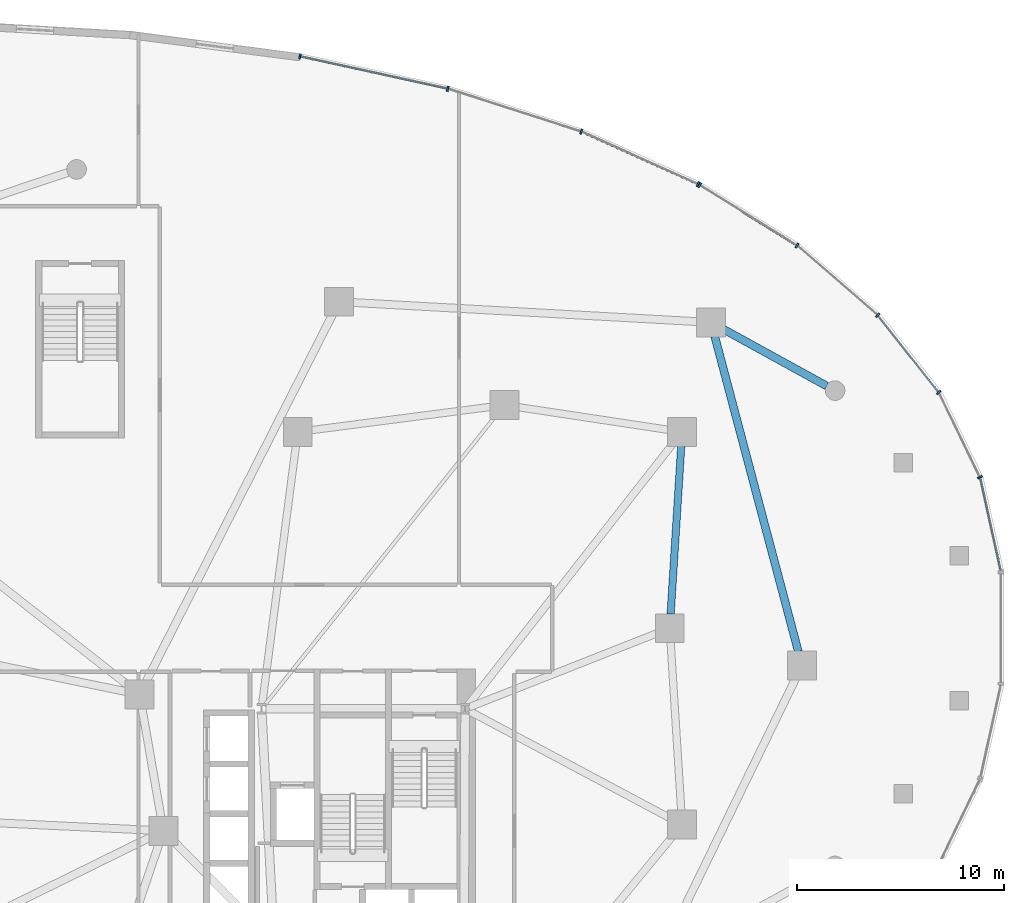
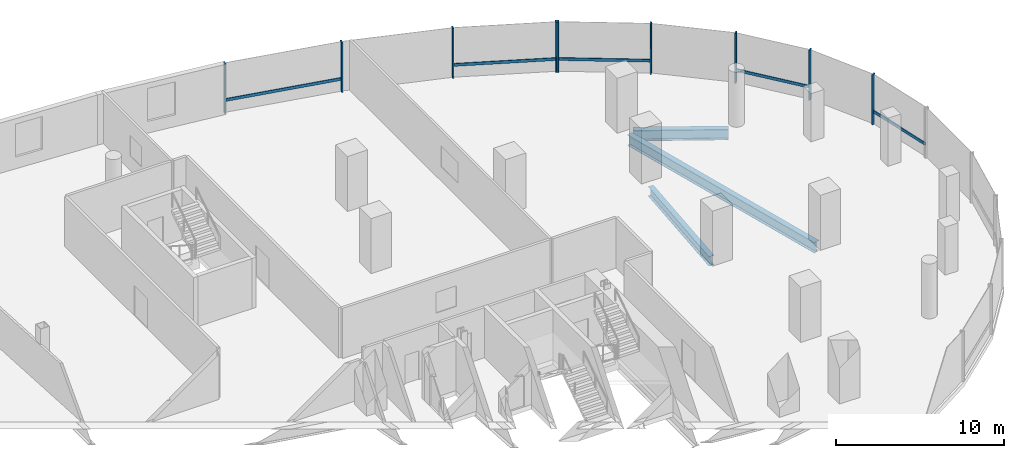
# One storey, part 10 of 19: 14 members, 3 beams, 2 elements without a shape of their own.
"""IFC4 building model written with IfcOpenShell, lengths in metres."""

import ifcopenshell
import ifcopenshell.guid

model = None  # the IFC model being written
_history = None  # IfcOwnerHistory: only IFC2X3 demands one
_inside = {}  # id of a spatial element -> (the spatial element, [elements in it])
_under = {}  # id of a project, library or spatial element -> (it, [spatial elements below it])
_declared = {}  # id of a project -> (the project, [libraries it declares])
_typed = {}  # id of a type object -> (the type object, [elements of that type])
_made_of = {}  # id of a material, layer set ... -> (it, [elements and type objects made of it])


def new_model(schema):
    """Start an empty IFC model of exactly this schema.

    Asked for "IFC4X3", IfcOpenShell would pick the latest addendum, in which some entities
    have other attributes; the version numbers below select the first issue.
    IFC2X3 requires an IfcOwnerHistory on every rooted entity: one is made here for all.
    """
    global model, _history
    if schema == "IFC4X3":
        model = ifcopenshell.file(schema_version=(4, 3, 0, 0))
    else:
        model = ifcopenshell.file(schema=schema)
    _inside.clear()
    _under.clear()
    _declared.clear()
    _typed.clear()
    _made_of.clear()
    _history = None
    if model.schema == "IFC2X3":
        org = make("IfcOrganization", Name="unknown")
        user = make(
            "IfcPersonAndOrganization",
            ThePerson=make("IfcPerson", FamilyName="unknown"),
            TheOrganization=org,
        )
        app = make(
            "IfcApplication",
            ApplicationDeveloper=org,
            Version="unknown",
            ApplicationFullName="unknown",
            ApplicationIdentifier="unknown",
        )
        _history = make(
            "IfcOwnerHistory",
            OwningUser=user,
            OwningApplication=app,
            ChangeAction="ADDED",
            CreationDate=0,
        )
    return model


def make(cls, **values):
    """One entity of the class cls with the attributes given. An attribute that is None is left unset."""
    return model.create_entity(
        cls, **{name: value for name, value in values.items() if value is not None}
    )


def rooted(cls, **values):
    """An entity with a GlobalId (a new one), such as an element, a storey or a relation."""
    return make(cls, GlobalId=ifcopenshell.guid.new(), OwnerHistory=_history, **values)


def si_unit(unit_type, name, prefix=None):
    """IfcSIUnit, for example si_unit("LENGTHUNIT", "METRE", prefix="MILLI")."""
    return make("IfcSIUnit", UnitType=unit_type, Prefix=prefix, Name=name)


def assignment(units):
    """IfcUnitAssignment: the units of a project."""
    return None if units is None else make("IfcUnitAssignment", Units=units)


def point(xyz):
    """IfcCartesianPoint."""
    return None if xyz is None else make("IfcCartesianPoint", Coordinates=xyz)


def direction(xyz):
    """IfcDirection."""
    return None if xyz is None else make("IfcDirection", DirectionRatios=xyz)


def frame(location, z_axis=None, x_axis=None):
    """IfcAxis2Placement3D, a coordinate frame: its origin and axes. An axis left out is left unset."""
    return make(
        "IfcAxis2Placement3D",
        Location=point(location),
        Axis=direction(z_axis),
        RefDirection=direction(x_axis),
    )


def frame_2d(location, x_axis=None):
    """IfcAxis2Placement2D, a coordinate frame in the plane: its origin and x axis."""
    return make(
        "IfcAxis2Placement2D", Location=point(location), RefDirection=direction(x_axis)
    )


def origin():
    """The frame at (0, 0, 0) with its axes left unset."""
    return frame((0.0, 0.0, 0.0))


def origin_2d():
    """The frame at (0, 0) in the plane with its x axis left unset."""
    return frame_2d((0.0, 0.0))


def place(relative_to, where):
    """IfcLocalPlacement: puts the frame where relative to a parent placement (None: the world)."""
    return make(
        "IfcLocalPlacement", PlacementRelTo=relative_to, RelativePlacement=where
    )


def context(
    kind, dimensions, precision=None, world=None, true_north=None, identifier=None
):
    """IfcGeometricRepresentationContext, for example the 3D "Model" context."""
    return make(
        "IfcGeometricRepresentationContext",
        ContextIdentifier=identifier,
        ContextType=kind,
        CoordinateSpaceDimension=dimensions,
        Precision=precision,
        WorldCoordinateSystem=world,
        TrueNorth=true_north,
    )


def subcontext(parent, identifier, kind, view, scale=None):
    """IfcGeometricRepresentationSubContext, for example "Body" below "Model"."""
    return make(
        "IfcGeometricRepresentationSubContext",
        ContextIdentifier=identifier,
        ContextType=kind,
        ParentContext=parent,
        TargetScale=scale,
        TargetView=view,
    )


def project(units=None, contexts=None):
    """IfcProject with its units and contexts."""
    return rooted(
        "IfcProject",
        Name="project",
        RepresentationContexts=contexts,
        UnitsInContext=assignment(units),
    )


def spatial(cls, under=None, at=None, **own):
    """A site, building, storey or space (cls), placed at a placement, below another one or the project."""
    s = rooted(cls, ObjectPlacement=at, **own)
    if under is not None:
        _under.setdefault(under.id(), (under, []))[1].append(s)
    return s


def profile(cls, at=None, kind="AREA", **sizes):
    """A parametric profile (cls). Its sizes go by their IFC names, for example OverallWidth=200.0."""
    return make(cls, ProfileType=kind, Position=at, **sizes)


def rectangle(**sizes):
    """IfcRectangleProfileDef."""
    return profile("IfcRectangleProfileDef", **sizes)


def i_section(**sizes):
    """IfcIShapeProfileDef."""
    return profile("IfcIShapeProfileDef", **sizes)


def extrude(swept, where, along, depth):
    """IfcExtrudedAreaSolid: the profile swept, set in the frame where, extruded along a direction by depth."""
    return make(
        "IfcExtrudedAreaSolid",
        SweptArea=swept,
        Position=where,
        ExtrudedDirection=direction(along),
        Depth=depth,
    )


def shape(context_of_items, identifier, shape_type, items):
    """IfcShapeRepresentation: the items that make up one representation, for example the "Body"."""
    return make(
        "IfcShapeRepresentation",
        ContextOfItems=context_of_items,
        RepresentationIdentifier=identifier,
        RepresentationType=shape_type,
        Items=items,
    )


def material(Name=None, Category=None):
    """IfcMaterial."""
    return make("IfcMaterial", Name=Name, Category=Category)


def material_profile(
    of_material, cross_section, Name=None, Category=None, Priority=None
):
    """IfcMaterialProfile: a cross section and its material."""
    return make(
        "IfcMaterialProfile",
        Name=Name,
        Material=of_material,
        Profile=cross_section,
        Priority=Priority,
        Category=Category,
    )


def profile_set(profiles, Name=None, composite=None):
    """IfcMaterialProfileSet."""
    return make(
        "IfcMaterialProfileSet",
        Name=Name,
        MaterialProfiles=profiles,
        CompositeProfile=composite,
    )


def made_of(thing, what):
    """Note that an element or type object is made of a material, layer set ...; save() writes the relation."""
    if what is not None:
        _made_of.setdefault(what.id(), (what, []))[1].append(thing)
    return thing


def type_object(cls, material=None, **own):
    """A type object (cls), such as IfcWallType, which elements share."""
    return made_of(rooted(cls, **own), material)


def element(
    cls,
    number,
    at=None,
    inside=None,
    cuts=None,
    type_object=None,
    material=None,
    context=None,
    identifier="Body",
    shape_type=None,
    held_by="IfcProductDefinitionShape",
    body=None,
    shapes=None,
    **own,
):
    """One element of the class cls, such as IfcWall. Its Tag is "e" and its number.

    at: its placement. inside: the storey or other place that contains it. cuts: it is an
    opening in that element (IfcRelVoidsElement). A single representation is given by context,
    identifier, shape_type and body (its items); several are given by shapes. held_by: the class
    of the entity that holds the representations. save() writes the other relations.
    """
    e = rooted(cls, Tag="e%d" % number, ObjectPlacement=at, **own)
    if body is not None:
        shapes = [shape(context, identifier, shape_type, body)]
    if shapes is not None:
        e.Representation = make(held_by, Representations=shapes)
    if inside is not None:
        _inside.setdefault(inside.id(), (inside, []))[1].append(e)
    if cuts is not None:
        rooted(
            "IfcRelVoidsElement", RelatingBuildingElement=cuts, RelatedOpeningElement=e
        )
    if type_object is not None:
        _typed.setdefault(type_object.id(), (type_object, []))[1].append(e)
    return made_of(e, material)


def aggregate(whole, parts):
    """IfcRelAggregates: a whole, such as a stair, and the parts it consists of."""
    return rooted("IfcRelAggregates", RelatingObject=whole, RelatedObjects=parts)


def save(model, path):
    """Write the relations noted so far, then the file.

    IfcRelAggregates (storeys below a building ...), IfcRelContainedInSpatialStructure (elements
    in a storey), IfcRelDefinesByType, IfcRelAssociatesMaterial and IfcRelDeclares: one each for
    every whole, place, type object, material and project.
    """
    for whole, parts in _under.values():
        aggregate(whole, parts)
    for where, things in _inside.values():
        rooted(
            "IfcRelContainedInSpatialStructure",
            RelatedElements=things,
            RelatingStructure=where,
        )
    for kind, things in _typed.values():
        rooted("IfcRelDefinesByType", RelatedObjects=things, RelatingType=kind)
    for what, things in _made_of.values():
        rooted("IfcRelAssociatesMaterial", RelatedObjects=things, RelatingMaterial=what)
    for by, libraries in _declared.values():
        rooted("IfcRelDeclares", RelatingContext=by, RelatedDefinitions=libraries)
    model.write(path)


model = new_model("IFC4")

# Units and contexts
model_context = context("Model", 3, precision=1e-05, world=origin(), true_north=direction((0.0, 1.0)))
body_context = subcontext(model_context, "Body", "Model", "MODEL_VIEW")
ifc_project = project(units=[si_unit("LENGTHUNIT", "METRE"), si_unit("AREAUNIT", "SQUARE_METRE"), si_unit("VOLUMEUNIT", "CUBIC_METRE"), si_unit("PLANEANGLEUNIT", "RADIAN"), si_unit("MASSUNIT", "GRAM", prefix="KILO"), si_unit("THERMODYNAMICTEMPERATUREUNIT", "KELVIN"), si_unit("POWERUNIT", "WATT")], contexts=[model_context])

# Site, building, storey
site_placement = place(None, origin())
site = spatial("IfcSite", under=ifc_project, at=site_placement, CompositionType="ELEMENT")
building_placement = place(site_placement, origin())
building = spatial("IfcBuilding", under=site, at=building_placement, Name="Cundina Bronze Exchange", CompositionType="ELEMENT")
storey_placement = place(building_placement, frame((0.0, 0.0, 16.0)))
storey = spatial("IfcBuildingStorey", under=building, at=storey_placement, Name="L03", CompositionType="ELEMENT", Elevation=16.0)

# Beams
ifc_material_1 = material(Name="Steel ASTM A992 Grade 50", Category="steel")
ifc_material_profile_1 = material_profile(ifc_material_1, i_section(OverallWidth=0.35498046875, OverallDepth=0.695068359375, WebThickness=0.015380859375, FlangeThickness=0.02490234375, FilletRadius=0.01806640625, at=origin_2d()), Name="W27X146", Category="steel")
ifc_profile_set_1 = profile_set([ifc_material_profile_1], Name="Steel ASTM A992 Grade 50")
beam_type_1 = type_object("IfcBeamType", Name="BM-RING-W27", PredefinedType="USERDEFINED", material=ifc_profile_set_1)
beam_1_placement = place(storey_placement, frame((41.243408203125, 0.6865234375, -0.697509765625), z_axis=(0.063020359641, 0.998012241544, 0.0), x_axis=(-0.998012241544, 0.063020359641, 0.0)))
element("IfcBeam", 1, at=beam_1_placement, inside=storey, type_object=beam_type_1, Name="L03 E Inner Structural Ring Girder 04", ObjectType="GIRDER", PredefinedType="USERDEFINED", context=body_context, shape_type="SweptSolid", body=[
    extrude(i_section(OverallWidth=0.35498046875, OverallDepth=0.695068359375, WebThickness=0.015380859375, FlangeThickness=0.02490234375, FilletRadius=0.01806640625, at=origin_2d()), origin(), (0.0, 0.0, 1.0), 8.14306640625),
])
ifc_material_profile_2 = material_profile(ifc_material_1, i_section(OverallWidth=0.381103515625, OverallDepth=0.77294921875, WebThickness=0.0166015625, FlangeThickness=0.027099609375, FilletRadius=0.01904296875, at=origin_2d()), Name="W30X173", Category="steel")
ifc_profile_set_2 = profile_set([ifc_material_profile_2], Name="Steel ASTM A992 Grade 50")
beam_type_2 = type_object("IfcBeamType", Name="BM-RING-W30", PredefinedType="USERDEFINED", material=ifc_profile_set_2)
beam_2_placement = place(storey_placement, frame((48.794189453125, 11.72314453125, -0.736572265625), z_axis=(-0.876211384386, 0.481926975663, 0.0), x_axis=(-0.481926975663, -0.876211384386, 0.0)))
element("IfcBeam", 2, at=beam_2_placement, inside=storey, type_object=beam_type_2, Name="L03 Podium Colonnade Tie Beam 07", ObjectType="GIRDER", PredefinedType="USERDEFINED", context=body_context, shape_type="SweptSolid", body=[
    extrude(i_section(OverallWidth=0.381103515625, OverallDepth=0.77294921875, WebThickness=0.0166015625, FlangeThickness=0.027099609375, FilletRadius=0.01904296875, at=origin_2d()), origin(), (0.0, 0.0, 1.0), 5.696533203125),
])
beam_3_placement = place(storey_placement, frame((47.423583984375, -1.135009765625, -0.736572265625), z_axis=(-0.256206036219, 0.966622194554, 0.0), x_axis=(-0.966622194554, -0.256206036219, 0.0)))
element("IfcBeam", 3, at=beam_3_placement, inside=storey, type_object=beam_type_2, Name="L03 E Podium Ring Girder 08", ObjectType="GIRDER", PredefinedType="USERDEFINED", context=body_context, shape_type="SweptSolid", body=[
    extrude(i_section(OverallWidth=0.381103515625, OverallDepth=0.77294921875, WebThickness=0.0166015625, FlangeThickness=0.027099609375, FilletRadius=0.01904296875, at=origin_2d()), origin(), (0.0, 0.0, 1.0), 15.79736328125),
])

# Curtain wall, members
ifc_material_2 = material(Name="Anodised Bronze Aluminium 6063-T6", Category="aluminium")
curtain_wall_type = type_object("IfcCurtainWallType", Name="CWS-POD-CONC", PredefinedType="NOTDEFINED", material=ifc_material_2)
curtain_wall_1_placement = place(storey_placement, origin())
curtain_wall_1 = element("IfcCurtainWall", 4, at=curtain_wall_1_placement, inside=storey, type_object=curtain_wall_type, Name="L03 CW-01 Curtain Wall Run CWR-L03-01", PredefinedType="NOTDEFINED")
ifc_material_profile_3 = material_profile(ifc_material_2, rectangle(XDim=0.0849609375, YDim=0.25, at=origin_2d()), Name="AL85X250", Category="aluminium")
ifc_profile_set_3 = profile_set([ifc_material_profile_3], Name="Anodised Bronze Aluminium 6063-T6")
member_type_1 = type_object("IfcMemberType", Name="CWM-MUL-250", PredefinedType="MULLION", material=ifc_profile_set_3)
member_1_placement = place(storey_placement, frame((56.211669921875, 7.311279296875, 0.0), z_axis=(0.0, 0.0, 1.0), x_axis=(-0.435702445497, 0.900090761528, 0.0)))
member_1 = element("IfcMember", 5, at=member_1_placement, type_object=member_type_1, Name="CW-01 Mullion 2", PredefinedType="MULLION", context=body_context, shape_type="SweptSolid", body=[
    extrude(rectangle(XDim=0.0849609375, YDim=0.25, at=origin_2d()), origin(), (0.0, 0.0, 1.0), 3.64990234375),
])
member_2_placement = place(storey_placement, frame((54.21728515625, 11.408935546875, 0.0), z_axis=(0.0, 0.0, 1.0), x_axis=(-0.61950505541, 0.784992666412, 0.0)))
member_2 = element("IfcMember", 6, at=member_2_placement, type_object=member_type_1, Name="CW-01 Mullion 3", PredefinedType="MULLION", context=body_context, shape_type="SweptSolid", body=[
    extrude(rectangle(XDim=0.0849609375, YDim=0.25, at=origin_2d()), origin(), (0.0, 0.0, 1.0), 3.64990234375),
])
member_3_placement = place(storey_placement, frame((51.257080078125, 15.146484375, 0.0), z_axis=(0.0, 0.0, 1.0), x_axis=(-0.755510544084, 0.6551364879, 0.0)))
member_3 = element("IfcMember", 7, at=member_3_placement, type_object=member_type_1, Name="CW-01 Mullion 4", PredefinedType="MULLION", context=body_context, shape_type="SweptSolid", body=[
    extrude(rectangle(XDim=0.0849609375, YDim=0.25, at=origin_2d()), origin(), (0.0, 0.0, 1.0), 3.64990234375),
])
member_4_placement = place(storey_placement, frame((47.35986328125, 18.515380859375, 0.0), z_axis=(0.0, 0.0, 1.0), x_axis=(-0.849248260906, 0.527993741769, 0.0)))
member_4 = element("IfcMember", 8, at=member_4_placement, type_object=member_type_1, Name="CW-01 Mullion 5", PredefinedType="MULLION", context=body_context, shape_type="SweptSolid", body=[
    extrude(rectangle(XDim=0.0849609375, YDim=0.25, at=origin_2d()), origin(), (0.0, 0.0, 1.0), 3.64990234375),
])
member_5_placement = place(storey_placement, frame((42.654052734375, 21.4404296875, 0.0), z_axis=(0.0, 0.0, 1.0), x_axis=(-0.849248260906, 0.527993741769, 0.0)))
member_5 = element("IfcMember", 9, at=member_5_placement, type_object=member_type_1, Name="CW-01 End Mullion", PredefinedType="MULLION", context=body_context, shape_type="SweptSolid", body=[
    extrude(rectangle(XDim=0.0849609375, YDim=0.25, at=origin_2d()), origin(), (0.0, 0.0, 1.0), 3.64990234375),
])

curtain_wall_2_placement = place(storey_placement, origin())
curtain_wall_2 = element("IfcCurtainWall", 10, at=curtain_wall_2_placement, inside=storey, type_object=curtain_wall_type, Name="L03 CW-01 Curtain Wall Run CWR-L03-02", PredefinedType="NOTDEFINED")
member_6_placement = place(storey_placement, frame((42.566162109375, 21.4873046875, 0.0), z_axis=(0.0, 0.0, 1.0), x_axis=(-0.911618620107, 0.411037092578, 0.0)))
member_6 = element("IfcMember", 11, at=member_6_placement, type_object=member_type_1, Name="CW-01 Mullion 1", PredefinedType="MULLION", context=body_context, shape_type="SweptSolid", body=[
    extrude(rectangle(XDim=0.0849609375, YDim=0.25, at=origin_2d()), origin(), (0.0, 0.0, 1.0), 3.64990234375),
])
member_7_placement = place(storey_placement, frame((36.91796875, 24.027099609375, 0.0), z_axis=(0.0, 0.0, 1.0), x_axis=(-0.951862260753, 0.306526078098, 0.0)))
member_7 = element("IfcMember", 12, at=member_7_placement, type_object=member_type_1, Name="CW-01 Mullion 2", PredefinedType="MULLION", context=body_context, shape_type="SweptSolid", body=[
    extrude(rectangle(XDim=0.0849609375, YDim=0.25, at=origin_2d()), origin(), (0.0, 0.0, 1.0), 3.64990234375),
])
member_8_placement = place(storey_placement, frame((30.456787109375, 26.10302734375, 0.0), z_axis=(0.0, 0.0, 1.0), x_axis=(-0.976896613081, 0.213712440794, 0.0)))
member_8 = element("IfcMember", 13, at=member_8_placement, type_object=member_type_1, Name="CW-01 Mullion 3", PredefinedType="MULLION", context=body_context, shape_type="SweptSolid", body=[
    extrude(rectangle(XDim=0.0849609375, YDim=0.25, at=origin_2d()), origin(), (0.0, 0.0, 1.0), 3.64990234375),
])
member_9_placement = place(storey_placement, frame((23.30810546875, 27.66650390625, 0.0), z_axis=(0.0, 0.0, 1.0), x_axis=(-0.976896613081, 0.213712440794, 0.0)))
member_9 = element("IfcMember", 14, at=member_9_placement, type_object=member_type_1, Name="CW-01 End Mullion", PredefinedType="MULLION", context=body_context, shape_type="SweptSolid", body=[
    extrude(rectangle(XDim=0.0849609375, YDim=0.25, at=origin_2d()), origin(), (0.0, 0.0, 1.0), 3.64990234375),
])

# Member
ifc_material_profile_4 = material_profile(ifc_material_2, rectangle(XDim=0.080078125, YDim=0.2099609375, at=origin_2d()), Name="AL80X210", Category="aluminium")
ifc_profile_set_4 = profile_set([ifc_material_profile_4], Name="Anodised Bronze Aluminium 6063-T6")
member_type_2 = type_object("IfcMemberType", Name="CWM-TRN-210", PredefinedType="USERDEFINED", material=ifc_profile_set_4)
member_10_placement = place(storey_placement, frame((57.209716796875, 2.812744140625, 0.919921875), z_axis=(-0.214548972216, 0.97671323249, 0.0), x_axis=(-0.97671323249, -0.214548972216, 0.0)))
member_10 = element("IfcMember", 15, at=member_10_placement, type_object=member_type_2, Name="CW-01 Spandrel Transom 1", ObjectType="TRANSOM", PredefinedType="USERDEFINED", context=body_context, shape_type="SweptSolid", body=[
    extrude(rectangle(XDim=0.080078125, YDim=0.2099609375, at=origin_2d()), origin(), (0.0, 0.0, 1.0), 4.571044921875),
])

member_11_placement = place(storey_placement, frame((54.1884765625, 11.445556640625, 0.919921875), z_axis=(-0.619486880186, 0.7850070097, 0.0), x_axis=(-0.7850070097, -0.619486880186, 0.0)))
member_11 = element("IfcMember", 16, at=member_11_placement, type_object=member_type_2, Name="CW-01 Spandrel Transom 3", ObjectType="TRANSOM", PredefinedType="USERDEFINED", context=body_context, shape_type="SweptSolid", body=[
    extrude(rectangle(XDim=0.080078125, YDim=0.2099609375, at=origin_2d()), origin(), (0.0, 0.0, 1.0), 4.67724609375),
])

member_12_placement = place(storey_placement, frame((47.3203125, 18.539794921875, 0.919921875), z_axis=(-0.849292385138, 0.527922763808, 0.0), x_axis=(-0.527922763808, -0.849292385138, 0.0)))
member_12 = element("IfcMember", 17, at=member_12_placement, type_object=member_type_2, Name="CW-01 Spandrel Transom 5", ObjectType="TRANSOM", PredefinedType="USERDEFINED", context=body_context, shape_type="SweptSolid", body=[
    extrude(rectangle(XDim=0.080078125, YDim=0.2099609375, at=origin_2d()), origin(), (0.0, 0.0, 1.0), 5.44775390625),
])

aggregate(curtain_wall_1, [member_10, member_1, member_2, member_11, member_3, member_4, member_5, member_12])

member_13_placement = place(storey_placement, frame((42.5234375, 21.506591796875, 0.919921875), z_axis=(-0.911656553379, 0.410952951908, 0.0), x_axis=(-0.410952951908, -0.911656553379, 0.0)))
member_13 = element("IfcMember", 18, at=member_13_placement, type_object=member_type_2, Name="CW-01 Spandrel Transom 1", ObjectType="TRANSOM", PredefinedType="USERDEFINED", context=body_context, shape_type="SweptSolid", body=[
    extrude(rectangle(XDim=0.080078125, YDim=0.2099609375, at=origin_2d()), origin(), (0.0, 0.0, 1.0), 6.090576171875),
])

member_14_placement = place(storey_placement, frame((30.4111328125, 26.113037109375, 0.919921875), z_axis=(-0.976909937501, 0.213651524713, 0.0), x_axis=(-0.213651524713, -0.976909937501, 0.0)))
member_14 = element("IfcMember", 19, at=member_14_placement, type_object=member_type_2, Name="CW-01 Spandrel Transom 3", ObjectType="TRANSOM", PredefinedType="USERDEFINED", context=body_context, shape_type="SweptSolid", body=[
    extrude(rectangle(XDim=0.080078125, YDim=0.2099609375, at=origin_2d()), origin(), (0.0, 0.0, 1.0), 7.22412109375),
])

aggregate(curtain_wall_2, [member_6, member_13, member_7, member_8, member_9, member_14])

save(model, "model.ifc")
